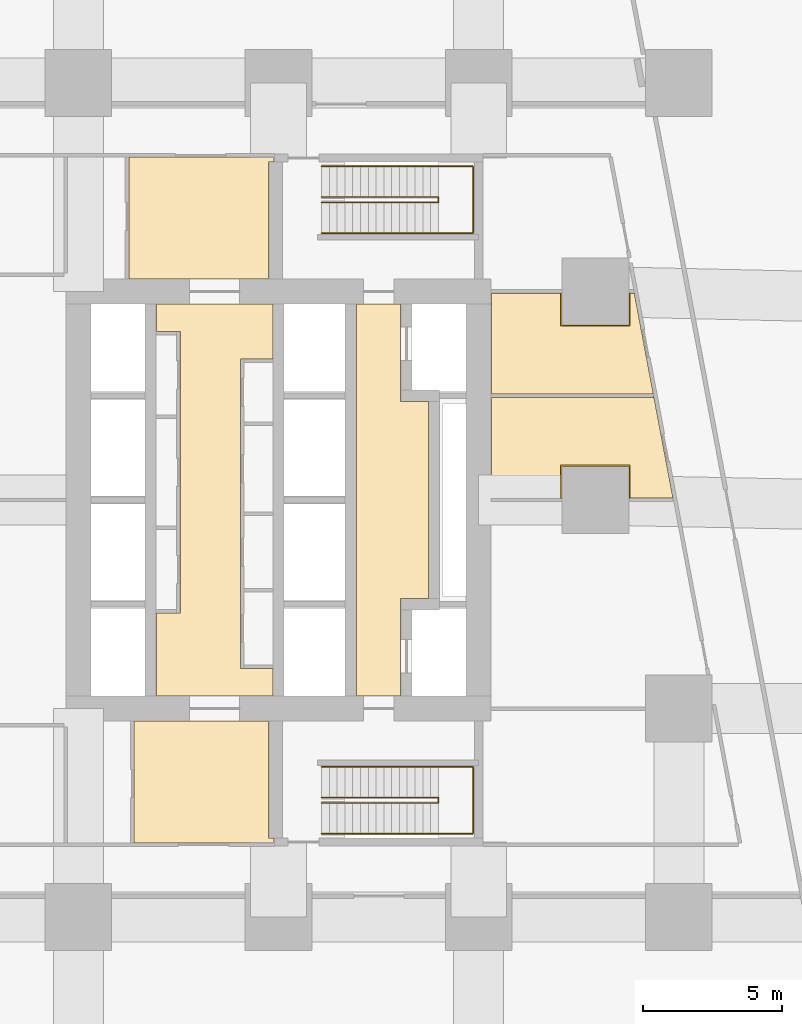
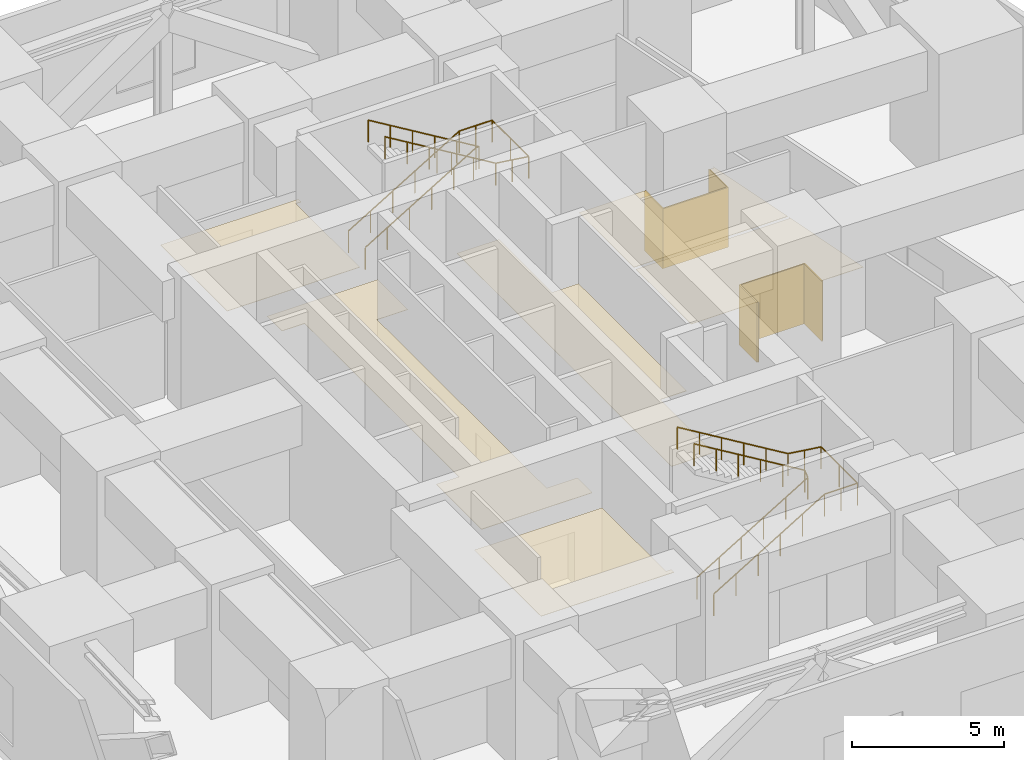
# One storey, part 8 of 8: 8 coverings, 4 railings.
"""IFC4 building model written with IfcOpenShell, lengths in metres."""

from ifc_helpers import new_model, si_unit, direction, frame, origin, origin_2d, place, context, subcontext, project, spatial, polyline, circle, outline, extrude, material, layer, layer_set, type_object, element, save


model = new_model("IFC4")

# Units and contexts
model_context = context("Model", 3, precision=1e-05, world=origin(), true_north=direction((0.0, 1.0)))
body_context = subcontext(model_context, "Body", "Model", "MODEL_VIEW")
ifc_project = project(units=[si_unit("LENGTHUNIT", "METRE"), si_unit("AREAUNIT", "SQUARE_METRE"), si_unit("VOLUMEUNIT", "CUBIC_METRE"), si_unit("PLANEANGLEUNIT", "RADIAN"), si_unit("MASSUNIT", "GRAM", prefix="KILO")], contexts=[model_context])

# Site, building, storey
site_placement = place(None, origin())
site = spatial("IfcSite", under=ifc_project, at=site_placement, CompositionType="ELEMENT")
building_placement = place(site_placement, origin())
building = spatial("IfcBuilding", under=site, at=building_placement, Name="Sheger Commons Tower", CompositionType="ELEMENT")
storey_placement = place(building_placement, frame((0.0, 0.0, 14.60009765625)))
storey = spatial("IfcBuildingStorey", under=building, at=storey_placement, Name="L03", CompositionType="ELEMENT", Elevation=14.60009765625)

# Railings
ifc_material_1 = material(Name="Steel handrail, black powder-coated", Category="steel")
railing_type = type_object("IfcRailingType", Name="HANDRAIL 900", PredefinedType="HANDRAIL", material=ifc_material_1)
railing_1_placement = place(storey_placement, frame((23.14990234375, 11.60009765625, 0.168701171875)))
element("IfcRailing", 1, at=railing_1_placement, inside=storey, type_object=railing_type, Name="Stair S1 handrail L03", PredefinedType="HANDRAIL", context=body_context, shape_type="SweptSolid", body=[
    extrude(circle(Radius=0.02392578125, at=origin_2d()), frame((0.0, 0.0, 0.8759765625), z_axis=(0.856489757249, 0.0, 0.516164020179), x_axis=(0.0, 1.0, 0.0)), (0.0, 0.0, 1.0), 4.904052734375),
    extrude(circle(Radius=0.02392578125, at=origin_2d()), frame((4.2001953125, 0.0, 3.4072265625), z_axis=(0.0, 0.764305856904, 0.644853903688), x_axis=(-1.0, 0.0, 0.0)), (0.0, 0.0, 1.0), 0.26171875),
    extrude(circle(Radius=0.02392578125, at=origin_2d()), frame((4.2001953125, 0.199951171875, 3.57568359375), z_axis=(-0.856489757249, 0.0, 0.516164020179), x_axis=(0.0, -1.0, 0.0)), (0.0, 0.0, 1.0), 4.904052734375),
    extrude(circle(Radius=0.02099609375, at=origin_2d()), origin(), (0.0, 0.0, 1.0), 0.851806640625),
    extrude(circle(Radius=0.02099609375, at=origin_2d()), frame((0.840087890625, 0.0, 0.50634765625)), (0.0, 0.0, 1.0), 0.851806640625),
    extrude(circle(Radius=0.02099609375, at=origin_2d()), frame((1.68017578125, 0.0, 1.012451171875)), (0.0, 0.0, 1.0), 0.851806640625),
    extrude(circle(Radius=0.02099609375, at=origin_2d()), frame((2.52001953125, 0.0, 1.518798828125)), (0.0, 0.0, 1.0), 0.851806640625),
    extrude(circle(Radius=0.02099609375, at=origin_2d()), frame((3.360107421875, 0.0, 2.02490234375)), (0.0, 0.0, 1.0), 0.851806640625),
    extrude(circle(Radius=0.02099609375, at=origin_2d()), frame((4.2001953125, 0.0, 2.53125)), (0.0, 0.0, 1.0), 0.851806640625),
    extrude(circle(Radius=0.02099609375, at=origin_2d()), frame((4.2001953125, 0.199951171875, 2.699951171875)), (0.0, 0.0, 1.0), 0.851806640625),
    extrude(circle(Radius=0.02099609375, at=origin_2d()), frame((3.360107421875, 0.199951171875, 3.206298828125)), (0.0, 0.0, 1.0), 0.851806640625),
    extrude(circle(Radius=0.02099609375, at=origin_2d()), frame((2.52001953125, 0.199951171875, 3.71240234375)), (0.0, 0.0, 1.0), 0.851806640625),
    extrude(circle(Radius=0.02099609375, at=origin_2d()), frame((1.68017578125, 0.199951171875, 4.21875)), (0.0, 0.0, 1.0), 0.851806640625),
    extrude(circle(Radius=0.02099609375, at=origin_2d()), frame((0.840087890625, 0.199951171875, 4.724853515625)), (0.0, 0.0, 1.0), 0.851806640625),
    extrude(circle(Radius=0.02099609375, at=origin_2d()), frame((0.0, 0.199951171875, 5.231201171875)), (0.0, 0.0, 1.0), 0.851806640625),
])
railing_2_placement = place(storey_placement, frame((23.14990234375, 10.5, 0.168701171875)))
element("IfcRailing", 2, at=railing_2_placement, inside=storey, type_object=railing_type, Name="Stair S1 handrail L03", PredefinedType="HANDRAIL", context=body_context, shape_type="SweptSolid", body=[
    extrude(circle(Radius=0.02392578125, at=origin_2d()), frame((0.0, 0.0, 0.8759765625), z_axis=(0.856489757249, 0.0, 0.516164020179), x_axis=(0.0, 1.0, 0.0)), (0.0, 0.0, 1.0), 4.904052734375),
    extrude(circle(Radius=0.02392578125, at=origin_2d()), frame((4.2001953125, 0.0, 3.4072265625), z_axis=(1.0, 0.0, 0.0), x_axis=(0.0, 1.0, 0.0)), (0.0, 0.0, 1.0), 1.25),
    extrude(circle(Radius=0.02392578125, at=origin_2d()), frame((5.4501953125, 0.0, 3.4072265625), z_axis=(0.0, 1.0, 0.0), x_axis=(-1.0, 0.0, 0.0)), (0.0, 0.0, 1.0), 2.39990234375),
    extrude(circle(Radius=0.02392578125, at=origin_2d()), frame((5.4501953125, 2.39990234375, 3.4072265625), z_axis=(-0.991015326251, 0.0, 0.133748357508), x_axis=(0.0, -1.0, 0.0)), (0.0, 0.0, 1.0), 1.26123046875),
    extrude(circle(Radius=0.02392578125, at=origin_2d()), frame((4.2001953125, 2.39990234375, 3.57568359375), z_axis=(-0.856489757249, 0.0, 0.516164020179), x_axis=(0.0, -1.0, 0.0)), (0.0, 0.0, 1.0), 4.904052734375),
    extrude(circle(Radius=0.02099609375, at=origin_2d()), origin(), (0.0, 0.0, 1.0), 0.851806640625),
    extrude(circle(Radius=0.02099609375, at=origin_2d()), frame((0.840087890625, 0.0, 0.50634765625)), (0.0, 0.0, 1.0), 0.851806640625),
    extrude(circle(Radius=0.02099609375, at=origin_2d()), frame((1.68017578125, 0.0, 1.012451171875)), (0.0, 0.0, 1.0), 0.851806640625),
    extrude(circle(Radius=0.02099609375, at=origin_2d()), frame((2.52001953125, 0.0, 1.518798828125)), (0.0, 0.0, 1.0), 0.851806640625),
    extrude(circle(Radius=0.02099609375, at=origin_2d()), frame((3.360107421875, 0.0, 2.02490234375)), (0.0, 0.0, 1.0), 0.851806640625),
    extrude(circle(Radius=0.02099609375, at=origin_2d()), frame((4.2001953125, 0.0, 2.53125)), (0.0, 0.0, 1.0), 0.851806640625),
    extrude(circle(Radius=0.02099609375, at=origin_2d()), frame((4.8251953125, 0.0, 2.53125)), (0.0, 0.0, 1.0), 0.851806640625),
    extrude(circle(Radius=0.02099609375, at=origin_2d()), frame((5.4501953125, 0.0, 2.53125)), (0.0, 0.0, 1.0), 0.851806640625),
    extrude(circle(Radius=0.02099609375, at=origin_2d()), frame((5.4501953125, 1.199951171875, 2.53125)), (0.0, 0.0, 1.0), 0.851806640625),
    extrude(circle(Radius=0.02099609375, at=origin_2d()), frame((5.4501953125, 2.39990234375, 2.53125)), (0.0, 0.0, 1.0), 0.851806640625),
    extrude(circle(Radius=0.02099609375, at=origin_2d()), frame((4.8251953125, 2.39990234375, 2.61572265625)), (0.0, 0.0, 1.0), 0.851806640625),
    extrude(circle(Radius=0.02099609375, at=origin_2d()), frame((4.2001953125, 2.39990234375, 2.699951171875)), (0.0, 0.0, 1.0), 0.851806640625),
    extrude(circle(Radius=0.02099609375, at=origin_2d()), frame((3.360107421875, 2.39990234375, 3.206298828125)), (0.0, 0.0, 1.0), 0.851806640625),
    extrude(circle(Radius=0.02099609375, at=origin_2d()), frame((2.52001953125, 2.39990234375, 3.71240234375)), (0.0, 0.0, 1.0), 0.851806640625),
    extrude(circle(Radius=0.02099609375, at=origin_2d()), frame((1.68017578125, 2.39990234375, 4.21875)), (0.0, 0.0, 1.0), 0.851806640625),
    extrude(circle(Radius=0.02099609375, at=origin_2d()), frame((0.840087890625, 2.39990234375, 4.724853515625)), (0.0, 0.0, 1.0), 0.851806640625),
    extrude(circle(Radius=0.02099609375, at=origin_2d()), frame((0.0, 2.39990234375, 5.231201171875)), (0.0, 0.0, 1.0), 0.851806640625),
])
railing_3_placement = place(storey_placement, frame((23.14990234375, 33.39990234375, 0.168701171875)))
element("IfcRailing", 3, at=railing_3_placement, inside=storey, type_object=railing_type, Name="Stair S2 handrail L03", PredefinedType="HANDRAIL", context=body_context, shape_type="SweptSolid", body=[
    extrude(circle(Radius=0.02392578125, at=origin_2d()), frame((0.0, 0.0, 0.8759765625), z_axis=(0.856489757249, 0.0, 0.516164020179), x_axis=(0.0, 1.0, 0.0)), (0.0, 0.0, 1.0), 4.904052734375),
    extrude(circle(Radius=0.02392578125, at=origin_2d()), frame((4.2001953125, 0.0, 3.4072265625), z_axis=(0.0, -0.764305856904, 0.644853903688), x_axis=(1.0, 0.0, 0.0)), (0.0, 0.0, 1.0), 0.26171875),
    extrude(circle(Radius=0.02392578125, at=origin_2d()), frame((4.2001953125, -0.199951171875, 3.57568359375), z_axis=(-0.856489757249, 0.0, 0.516164020179), x_axis=(0.0, -1.0, 0.0)), (0.0, 0.0, 1.0), 4.904052734375),
    extrude(circle(Radius=0.02099609375, at=origin_2d()), origin(), (0.0, 0.0, 1.0), 0.851806640625),
    extrude(circle(Radius=0.02099609375, at=origin_2d()), frame((0.840087890625, 0.0, 0.50634765625)), (0.0, 0.0, 1.0), 0.851806640625),
    extrude(circle(Radius=0.02099609375, at=origin_2d()), frame((1.68017578125, 0.0, 1.012451171875)), (0.0, 0.0, 1.0), 0.851806640625),
    extrude(circle(Radius=0.02099609375, at=origin_2d()), frame((2.52001953125, 0.0, 1.518798828125)), (0.0, 0.0, 1.0), 0.851806640625),
    extrude(circle(Radius=0.02099609375, at=origin_2d()), frame((3.360107421875, 0.0, 2.02490234375)), (0.0, 0.0, 1.0), 0.851806640625),
    extrude(circle(Radius=0.02099609375, at=origin_2d()), frame((4.2001953125, 0.0, 2.53125)), (0.0, 0.0, 1.0), 0.851806640625),
    extrude(circle(Radius=0.02099609375, at=origin_2d()), frame((4.2001953125, -0.199951171875, 2.699951171875)), (0.0, 0.0, 1.0), 0.851806640625),
    extrude(circle(Radius=0.02099609375, at=origin_2d()), frame((3.360107421875, -0.199951171875, 3.206298828125)), (0.0, 0.0, 1.0), 0.851806640625),
    extrude(circle(Radius=0.02099609375, at=origin_2d()), frame((2.52001953125, -0.199951171875, 3.71240234375)), (0.0, 0.0, 1.0), 0.851806640625),
    extrude(circle(Radius=0.02099609375, at=origin_2d()), frame((1.68017578125, -0.199951171875, 4.21875)), (0.0, 0.0, 1.0), 0.851806640625),
    extrude(circle(Radius=0.02099609375, at=origin_2d()), frame((0.840087890625, -0.199951171875, 4.724853515625)), (0.0, 0.0, 1.0), 0.851806640625),
    extrude(circle(Radius=0.02099609375, at=origin_2d()), frame((0.0, -0.199951171875, 5.231201171875)), (0.0, 0.0, 1.0), 0.851806640625),
])
railing_4_placement = place(storey_placement, frame((23.14990234375, 34.5, 0.168701171875)))
element("IfcRailing", 4, at=railing_4_placement, inside=storey, type_object=railing_type, Name="Stair S2 handrail L03", PredefinedType="HANDRAIL", context=body_context, shape_type="SweptSolid", body=[
    extrude(circle(Radius=0.02392578125, at=origin_2d()), frame((0.0, 0.0, 0.8759765625), z_axis=(0.856489757249, 0.0, 0.516164020179), x_axis=(0.0, 1.0, 0.0)), (0.0, 0.0, 1.0), 4.904052734375),
    extrude(circle(Radius=0.02392578125, at=origin_2d()), frame((4.2001953125, 0.0, 3.4072265625), z_axis=(1.0, 0.0, 0.0), x_axis=(0.0, 1.0, 0.0)), (0.0, 0.0, 1.0), 1.25),
    extrude(circle(Radius=0.02392578125, at=origin_2d()), frame((5.4501953125, 0.0, 3.4072265625), z_axis=(0.0, -1.0, 0.0), x_axis=(1.0, 0.0, 0.0)), (0.0, 0.0, 1.0), 2.39990234375),
    extrude(circle(Radius=0.02392578125, at=origin_2d()), frame((5.4501953125, -2.39990234375, 3.4072265625), z_axis=(-0.991015326251, 0.0, 0.133748357508), x_axis=(0.0, -1.0, 0.0)), (0.0, 0.0, 1.0), 1.26123046875),
    extrude(circle(Radius=0.02392578125, at=origin_2d()), frame((4.2001953125, -2.39990234375, 3.57568359375), z_axis=(-0.856489757249, 0.0, 0.516164020179), x_axis=(0.0, -1.0, 0.0)), (0.0, 0.0, 1.0), 4.904052734375),
    extrude(circle(Radius=0.02099609375, at=origin_2d()), origin(), (0.0, 0.0, 1.0), 0.851806640625),
    extrude(circle(Radius=0.02099609375, at=origin_2d()), frame((0.840087890625, 0.0, 0.50634765625)), (0.0, 0.0, 1.0), 0.851806640625),
    extrude(circle(Radius=0.02099609375, at=origin_2d()), frame((1.68017578125, 0.0, 1.012451171875)), (0.0, 0.0, 1.0), 0.851806640625),
    extrude(circle(Radius=0.02099609375, at=origin_2d()), frame((2.52001953125, 0.0, 1.518798828125)), (0.0, 0.0, 1.0), 0.851806640625),
    extrude(circle(Radius=0.02099609375, at=origin_2d()), frame((3.360107421875, 0.0, 2.02490234375)), (0.0, 0.0, 1.0), 0.851806640625),
    extrude(circle(Radius=0.02099609375, at=origin_2d()), frame((4.2001953125, 0.0, 2.53125)), (0.0, 0.0, 1.0), 0.851806640625),
    extrude(circle(Radius=0.02099609375, at=origin_2d()), frame((4.8251953125, 0.0, 2.53125)), (0.0, 0.0, 1.0), 0.851806640625),
    extrude(circle(Radius=0.02099609375, at=origin_2d()), frame((5.4501953125, 0.0, 2.53125)), (0.0, 0.0, 1.0), 0.851806640625),
    extrude(circle(Radius=0.02099609375, at=origin_2d()), frame((5.4501953125, -1.199951171875, 2.53125)), (0.0, 0.0, 1.0), 0.851806640625),
    extrude(circle(Radius=0.02099609375, at=origin_2d()), frame((5.4501953125, -2.39990234375, 2.53125)), (0.0, 0.0, 1.0), 0.851806640625),
    extrude(circle(Radius=0.02099609375, at=origin_2d()), frame((4.8251953125, -2.39990234375, 2.61572265625)), (0.0, 0.0, 1.0), 0.851806640625),
    extrude(circle(Radius=0.02099609375, at=origin_2d()), frame((4.2001953125, -2.39990234375, 2.699951171875)), (0.0, 0.0, 1.0), 0.851806640625),
    extrude(circle(Radius=0.02099609375, at=origin_2d()), frame((3.360107421875, -2.39990234375, 3.206298828125)), (0.0, 0.0, 1.0), 0.851806640625),
    extrude(circle(Radius=0.02099609375, at=origin_2d()), frame((2.52001953125, -2.39990234375, 3.71240234375)), (0.0, 0.0, 1.0), 0.851806640625),
    extrude(circle(Radius=0.02099609375, at=origin_2d()), frame((1.68017578125, -2.39990234375, 4.21875)), (0.0, 0.0, 1.0), 0.851806640625),
    extrude(circle(Radius=0.02099609375, at=origin_2d()), frame((0.840087890625, -2.39990234375, 4.724853515625)), (0.0, 0.0, 1.0), 0.851806640625),
    extrude(circle(Radius=0.02099609375, at=origin_2d()), frame((0.0, -2.39990234375, 5.231201171875)), (0.0, 0.0, 1.0), 0.851806640625),
])

# Coverings
ifc_material_2 = material(Name="Moisture-resistant gypsum plasterboard 15 mm on a suspended galvanised steel grid", Category="steel")
ifc_layer_1 = layer(ifc_material_2, 0.014892578125)
ifc_layer_set_1 = layer_set([ifc_layer_1], Name="MOISTURE-RESISTANT CEILING 15")
covering_type_1 = type_object("IfcCoveringType", Name="MOISTURE-RESISTANT CEILING 15", PredefinedType="CEILING", material=ifc_layer_set_1)
covering_1_placement = place(storey_placement, frame((0.0, 0.0, 2.39990234375)))
element("IfcCovering", 5, at=covering_1_placement, inside=storey, type_object=covering_type_1, Name="L03-SVE2 ceiling", PredefinedType="CEILING", context=body_context, shape_type="SweptSolid", body=[
    extrude(outline(polyline([(29.2548828125, 22.56689453125), (31.794921875, 22.56689453125), (31.794921875, 23.705078125), (34.205078125, 23.705078125), (34.205078125, 22.56689453125), (35.7900390625, 22.56689453125), (35.094970703125, 26.248046875), (35.093017578125, 26.248046875), (35.093017578125, 26.18310546875), (29.2548828125, 26.18310546875), (29.2548828125, 22.56689453125)])), origin(), (0.0, 0.0, 1.0), 0.014892578125),
])
covering_2_placement = place(storey_placement, frame((0.0, 0.0, 2.39990234375)))
element("IfcCovering", 6, at=covering_2_placement, inside=storey, type_object=covering_type_1, Name="L03-SVE2b ceiling", PredefinedType="CEILING", context=body_context, shape_type="SweptSolid", body=[
    extrude(outline(polyline([(29.2548828125, 26.31689453125), (35.08203125, 26.31689453125), (34.386962890625, 30.0), (34.384033203125, 30.0), (34.384033203125, 29.93310546875), (34.205078125, 29.93310546875), (34.205078125, 28.794921875), (31.794921875, 28.794921875), (31.794921875, 29.93310546875), (29.2548828125, 29.93310546875), (29.2548828125, 26.31689453125)])), origin(), (0.0, 0.0, 1.0), 0.014892578125),
])
ifc_material_3 = material(Name="Gypsum plasterboard 15 mm on a suspended steel grid", Category="steel")
ifc_layer_2 = layer(ifc_material_3, 0.014892578125)
ifc_layer_set_2 = layer_set([ifc_layer_2], Name="SUSPENDED CEILING 15")
covering_type_2 = type_object("IfcCoveringType", Name="SUSPENDED CEILING 15", PredefinedType="CEILING", material=ifc_layer_set_2)
covering_3_placement = place(storey_placement, frame((0.0, 0.0, 2.699951171875)))
element("IfcCovering", 7, at=covering_3_placement, inside=storey, type_object=covering_type_2, Name="L03-SVS1 ceiling", PredefinedType="CEILING", context=body_context, shape_type="SweptSolid", body=[
    extrude(outline(polyline([(16.406982421875, 10.16796875), (21.445068359375, 10.16796875), (21.445068359375, 10.344970703125), (21.2451171875, 10.344970703125), (21.2451171875, 14.544921875), (16.406982421875, 14.544921875), (16.406982421875, 10.16796875)])), origin(), (0.0, 0.0, 1.0), 0.014892578125),
])
covering_4_placement = place(storey_placement, frame((0.0, 0.0, 2.699951171875)))
element("IfcCovering", 8, at=covering_4_placement, inside=storey, type_object=covering_type_2, Name="L03-SVN1 ceiling", PredefinedType="CEILING", context=body_context, shape_type="SweptSolid", body=[
    extrude(outline(polyline([(16.217041015625, 30.455078125), (21.2451171875, 30.455078125), (21.2451171875, 34.655029296875), (21.445068359375, 34.655029296875), (21.445068359375, 34.83203125), (16.217041015625, 34.83203125), (16.217041015625, 30.455078125)])), origin(), (0.0, 0.0, 1.0), 0.014892578125),
])
covering_5_placement = place(storey_placement, frame((0.0, 0.0, 2.699951171875)))
element("IfcCovering", 9, at=covering_5_placement, inside=storey, type_object=covering_type_2, Name="L03-LL ceiling", PredefinedType="CEILING", context=body_context, shape_type="SweptSolid", body=[
    extrude(outline(polyline([(17.205078125, 15.455078125), (21.39990234375, 15.455078125), (21.39990234375, 16.43310546875), (20.35791015625, 16.43310546875), (20.23291015625, 16.43310546875), (20.23291015625, 27.56689453125), (20.35791015625, 27.56689453125), (21.39990234375, 27.56689453125), (21.39990234375, 29.544921875), (17.205078125, 29.544921875), (17.205078125, 28.56689453125), (17.943115234375, 28.56689453125), (18.06689453125, 28.56689453125), (18.06689453125, 18.43310546875), (17.943115234375, 18.43310546875), (17.205078125, 18.43310546875), (17.205078125, 15.455078125)])), origin(), (0.0, 0.0, 1.0), 0.014892578125),
])
covering_6_placement = place(storey_placement, frame((0.0, 0.0, 2.699951171875)))
element("IfcCovering", 10, at=covering_6_placement, inside=storey, type_object=covering_type_2, Name="L03-FL ceiling", PredefinedType="CEILING", context=body_context, shape_type="SweptSolid", body=[
    extrude(outline(polyline([(24.405029296875, 15.455078125), (25.9951171875, 15.455078125), (25.9951171875, 18.955078125), (26.9951171875, 18.955078125), (26.9951171875, 26.044921875), (25.9951171875, 26.044921875), (25.9951171875, 29.544921875), (24.405029296875, 29.544921875), (24.405029296875, 15.455078125)])), origin(), (0.0, 0.0, 1.0), 0.014892578125),
])
ifc_material_4 = material(Name="Moisture-resistant gypsum board 12.5 mm on 25 mm treated timber battens, tanked and tiled", Category="wood")
ifc_layer_3 = layer(ifc_material_4, 0.050048828125)
ifc_layer_set_3 = layer_set([ifc_layer_3], Name="WET-ROOM COLUMN LINING")
covering_type_3 = type_object("IfcCoveringType", Name="WET-ROOM COLUMN LINING", PredefinedType="CLADDING", material=ifc_layer_set_3)
covering_7_placement = place(storey_placement, origin())
element("IfcCovering", 11, at=covering_7_placement, inside=storey, type_object=covering_type_3, Name="Staff WC column lining C5 L03", PredefinedType="CLADDING", context=body_context, shape_type="SweptSolid", body=[
    extrude(outline(polyline([(34.25, 23.75), (34.25, 22.56201171875), (34.200927734375, 22.56201171875), (34.200927734375, 22.5), (34.199951171875, 22.5), (34.199951171875, 23.699951171875), (31.800048828125, 23.699951171875), (31.800048828125, 22.5), (31.799072265625, 22.5), (31.799072265625, 22.56201171875), (31.75, 22.56201171875), (31.75, 23.75), (34.25, 23.75)])), origin(), (0.0, 0.0, 1.0), 2.39990234375),
])
covering_8_placement = place(storey_placement, origin())
element("IfcCovering", 12, at=covering_8_placement, inside=storey, type_object=covering_type_3, Name="Accessible WC column lining C5 L03", PredefinedType="CLADDING", context=body_context, shape_type="SweptSolid", body=[
    extrude(outline(polyline([(31.800048828125, 30.0), (31.800048828125, 28.800048828125), (34.199951171875, 28.800048828125), (34.199951171875, 30.0), (34.200927734375, 30.0), (34.200927734375, 29.93798828125), (34.25, 29.93798828125), (34.25, 28.75), (31.75, 28.75), (31.75, 29.93798828125), (31.799072265625, 29.93798828125), (31.799072265625, 30.0), (31.800048828125, 30.0)])), origin(), (0.0, 0.0, 1.0), 2.39990234375),
])

save(model, "model.ifc")
